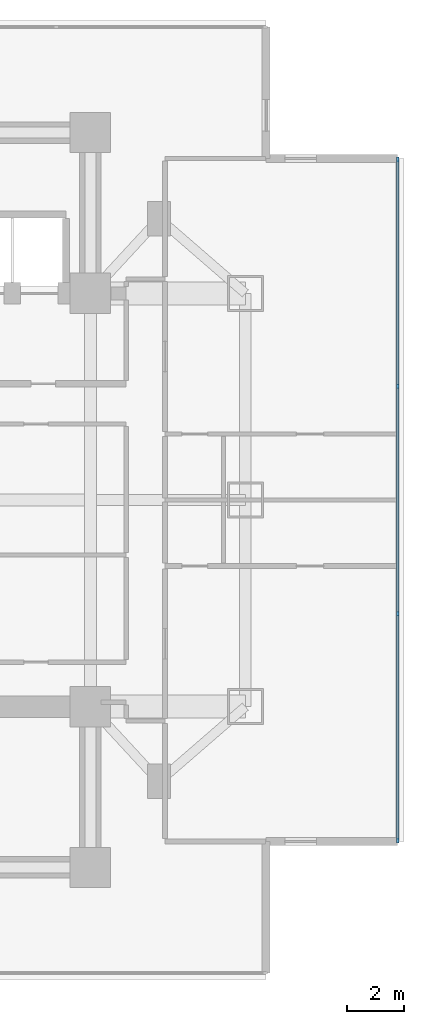
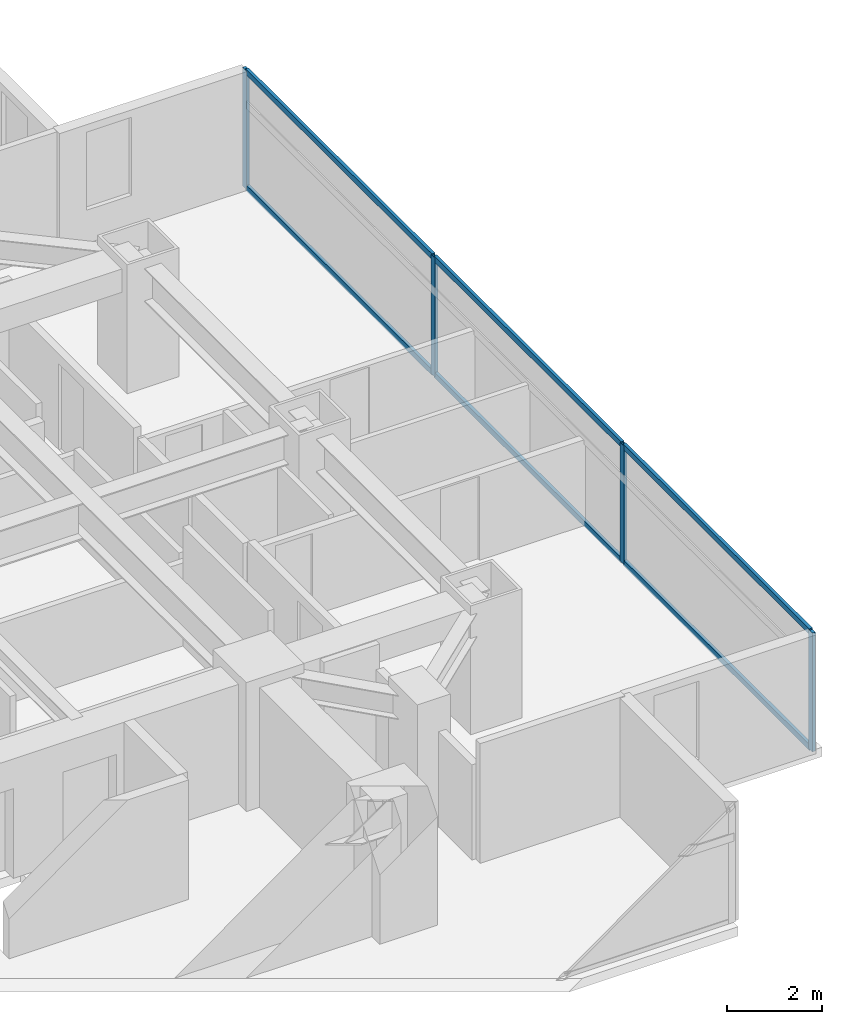
# One storey, part 11 of 27: 10 members, 1 element without a shape of its own.
"""IFC4 building model written with IfcOpenShell, lengths in metres."""

from ifc_helpers import new_model, si_unit, direction, frame, origin, origin_2d, place, context, subcontext, project, spatial, rectangle, extrude, material, material_profile, profile_set, type_object, element, aggregate, save


model = new_model("IFC4")

# Units and contexts
model_context = context("Model", 3, precision=1e-05, world=origin(), true_north=direction((0.0, 1.0)))
body_context = subcontext(model_context, "Body", "Model", "MODEL_VIEW")
ifc_project = project(units=[si_unit("LENGTHUNIT", "METRE"), si_unit("AREAUNIT", "SQUARE_METRE"), si_unit("VOLUMEUNIT", "CUBIC_METRE"), si_unit("PLANEANGLEUNIT", "RADIAN"), si_unit("MASSUNIT", "GRAM", prefix="KILO")], contexts=[model_context])

# Site, building, storey
site_placement = place(None, origin())
site = spatial("IfcSite", under=ifc_project, at=site_placement, CompositionType="ELEMENT")
building_placement = place(site_placement, origin())
building = spatial("IfcBuilding", under=site, at=building_placement, Name="Mirazonda Arch Towers", CompositionType="ELEMENT")
storey_placement = place(building_placement, frame((0.0, 0.0, 42.199951171875)))
storey = spatial("IfcBuildingStorey", under=building, at=storey_placement, Name="L11", CompositionType="ELEMENT", Elevation=42.199951171875)

# Curtain wall, members
ifc_material_1 = material(Name="Anodised Aluminium and Low-E Glass", Category="aluminium")
curtain_wall_type = type_object("IfcCurtainWallType", Name="CW-HTL-UNIT", PredefinedType="NOTDEFINED", material=ifc_material_1)
curtain_wall_placement = place(storey_placement, origin())
curtain_wall = element("IfcCurtainWall", 1, at=curtain_wall_placement, inside=storey, type_object=curtain_wall_type, Name="L11 T2 E Facade CW-L11-T2-E", PredefinedType="NOTDEFINED")
ifc_material_2 = material(Name="Anodised Aluminium Alloy", Category="aluminium")
ifc_material_profile_1 = material_profile(ifc_material_2, rectangle(XDim=0.074951171875, YDim=0.1650390625, at=origin_2d()), Name="ALU-MULL-75x165")
ifc_profile_set_1 = profile_set([ifc_material_profile_1], Name="Anodised Aluminium Alloy")
member_type_1 = type_object("IfcMemberType", Name="MULL-CW-HTL-UNIT", PredefinedType="MULLION", material=ifc_profile_set_1)
member_1_placement = place(storey_placement, frame((95.7080078125, 16.1376953125, 0.0), z_axis=(0.0, 0.0, 1.0), x_axis=(-1.0, 0.0, 0.0)))
member_1 = element("IfcMember", 2, at=member_1_placement, type_object=member_type_1, Name="CW-112 mullion 1", PredefinedType="MULLION", context=body_context, shape_type="SweptSolid", body=[
    extrude(rectangle(XDim=0.074951171875, YDim=0.1650390625, at=origin_2d()), origin(), (0.0, 0.0, 1.0), 3.0400390625),
])
member_2_placement = place(storey_placement, frame((95.7080078125, 24.033447265625, 0.0), z_axis=(0.0, 0.0, 1.0), x_axis=(-1.0, 0.0, 0.0)))
member_2 = element("IfcMember", 3, at=member_2_placement, type_object=member_type_1, Name="CW-112 mullion 2", PredefinedType="MULLION", context=body_context, shape_type="SweptSolid", body=[
    extrude(rectangle(XDim=0.074951171875, YDim=0.1650390625, at=origin_2d()), origin(), (0.0, 0.0, 1.0), 3.0400390625),
])
member_3_placement = place(storey_placement, frame((95.7080078125, 31.966552734375, 0.0), z_axis=(0.0, 0.0, 1.0), x_axis=(-1.0, 0.0, 0.0)))
member_3 = element("IfcMember", 4, at=member_3_placement, type_object=member_type_1, Name="CW-112 mullion 3", PredefinedType="MULLION", context=body_context, shape_type="SweptSolid", body=[
    extrude(rectangle(XDim=0.074951171875, YDim=0.1650390625, at=origin_2d()), origin(), (0.0, 0.0, 1.0), 3.0400390625),
])
member_4_placement = place(storey_placement, frame((95.7080078125, 39.8623046875, 0.0), z_axis=(0.0, 0.0, 1.0), x_axis=(-1.0, 0.0, 0.0)))
member_4 = element("IfcMember", 5, at=member_4_placement, type_object=member_type_1, Name="CW-112 mullion 4", PredefinedType="MULLION", context=body_context, shape_type="SweptSolid", body=[
    extrude(rectangle(XDim=0.074951171875, YDim=0.1650390625, at=origin_2d()), origin(), (0.0, 0.0, 1.0), 3.0400390625),
])
ifc_material_profile_2 = material_profile(ifc_material_2, rectangle(XDim=0.074951171875, YDim=0.14501953125, at=origin_2d()), Name="ALU-TRAN-75x145")
ifc_profile_set_2 = profile_set([ifc_material_profile_2], Name="Anodised Aluminium Alloy")
member_type_2 = type_object("IfcMemberType", Name="TRAN-CW-HTL-UNIT", PredefinedType="USERDEFINED", material=ifc_profile_set_2)
member_5_placement = place(storey_placement, frame((95.7080078125, 16.17529296875, 0.03759765625), z_axis=(0.0, 1.0, 0.0), x_axis=(-1.0, 0.0, 0.0)))
member_5 = element("IfcMember", 6, at=member_5_placement, type_object=member_type_2, Name="CW-112 transom 1.1", ObjectType="TRANSOM", PredefinedType="USERDEFINED", context=body_context, shape_type="SweptSolid", body=[
    extrude(rectangle(XDim=0.074951171875, YDim=0.14501953125, at=origin_2d()), origin(), (0.0, 0.0, 1.0), 7.820556640625),
])
member_6_placement = place(storey_placement, frame((95.7080078125, 16.17529296875, 3.00244140625), z_axis=(0.0, 1.0, 0.0), x_axis=(-1.0, 0.0, 0.0)))
member_6 = element("IfcMember", 7, at=member_6_placement, type_object=member_type_2, Name="CW-112 transom 1.2", ObjectType="TRANSOM", PredefinedType="USERDEFINED", context=body_context, shape_type="SweptSolid", body=[
    extrude(rectangle(XDim=0.074951171875, YDim=0.14501953125, at=origin_2d()), origin(), (0.0, 0.0, 1.0), 7.820556640625),
])
member_7_placement = place(storey_placement, frame((95.7080078125, 24.07080078125, 0.03759765625), z_axis=(0.0, 1.0, 0.0), x_axis=(-1.0, 0.0, 0.0)))
member_7 = element("IfcMember", 8, at=member_7_placement, type_object=member_type_2, Name="CW-112 transom 2.1", ObjectType="TRANSOM", PredefinedType="USERDEFINED", context=body_context, shape_type="SweptSolid", body=[
    extrude(rectangle(XDim=0.074951171875, YDim=0.14501953125, at=origin_2d()), origin(), (0.0, 0.0, 1.0), 7.8583984375),
])
member_8_placement = place(storey_placement, frame((95.7080078125, 24.07080078125, 3.00244140625), z_axis=(0.0, 1.0, 0.0), x_axis=(-1.0, 0.0, 0.0)))
member_8 = element("IfcMember", 9, at=member_8_placement, type_object=member_type_2, Name="CW-112 transom 2.2", ObjectType="TRANSOM", PredefinedType="USERDEFINED", context=body_context, shape_type="SweptSolid", body=[
    extrude(rectangle(XDim=0.074951171875, YDim=0.14501953125, at=origin_2d()), origin(), (0.0, 0.0, 1.0), 7.8583984375),
])
member_9_placement = place(storey_placement, frame((95.7080078125, 32.004150390625, 0.03759765625), z_axis=(0.0, 1.0, 0.0), x_axis=(-1.0, 0.0, 0.0)))
member_9 = element("IfcMember", 10, at=member_9_placement, type_object=member_type_2, Name="CW-112 transom 3.1", ObjectType="TRANSOM", PredefinedType="USERDEFINED", context=body_context, shape_type="SweptSolid", body=[
    extrude(rectangle(XDim=0.074951171875, YDim=0.14501953125, at=origin_2d()), origin(), (0.0, 0.0, 1.0), 7.820556640625),
])
member_10_placement = place(storey_placement, frame((95.7080078125, 32.004150390625, 3.00244140625), z_axis=(0.0, 1.0, 0.0), x_axis=(-1.0, 0.0, 0.0)))
member_10 = element("IfcMember", 11, at=member_10_placement, type_object=member_type_2, Name="CW-112 transom 3.2", ObjectType="TRANSOM", PredefinedType="USERDEFINED", context=body_context, shape_type="SweptSolid", body=[
    extrude(rectangle(XDim=0.074951171875, YDim=0.14501953125, at=origin_2d()), origin(), (0.0, 0.0, 1.0), 7.820556640625),
])
aggregate(curtain_wall, [member_1, member_2, member_3, member_4, member_5, member_6, member_7, member_8, member_9, member_10])

save(model, "model.ifc")
